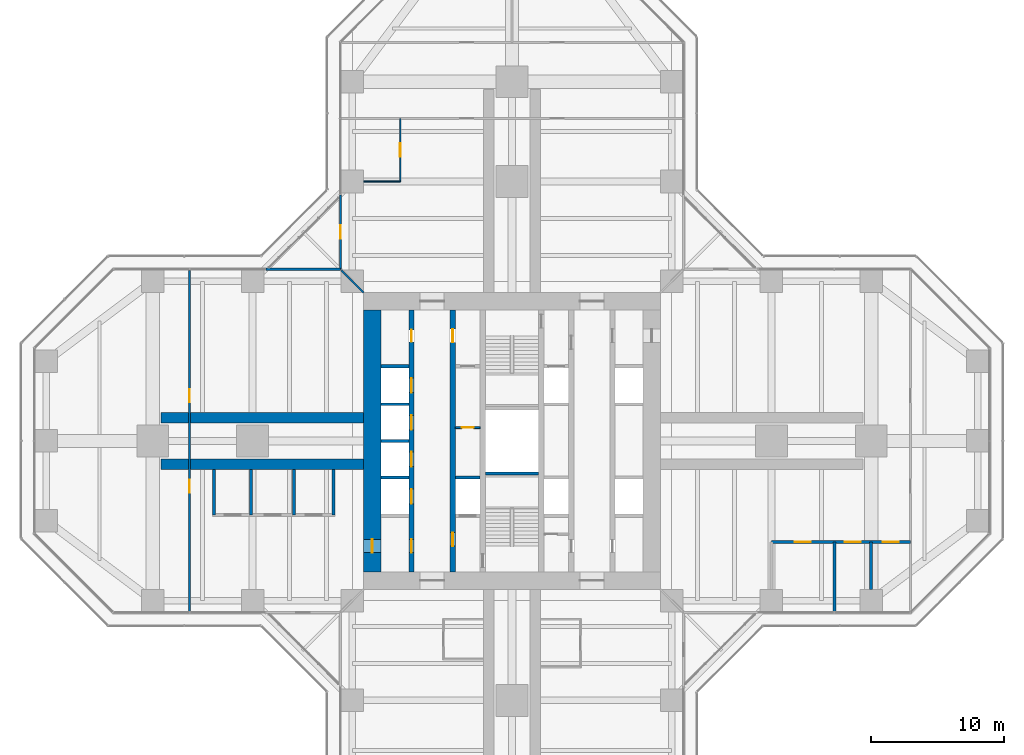
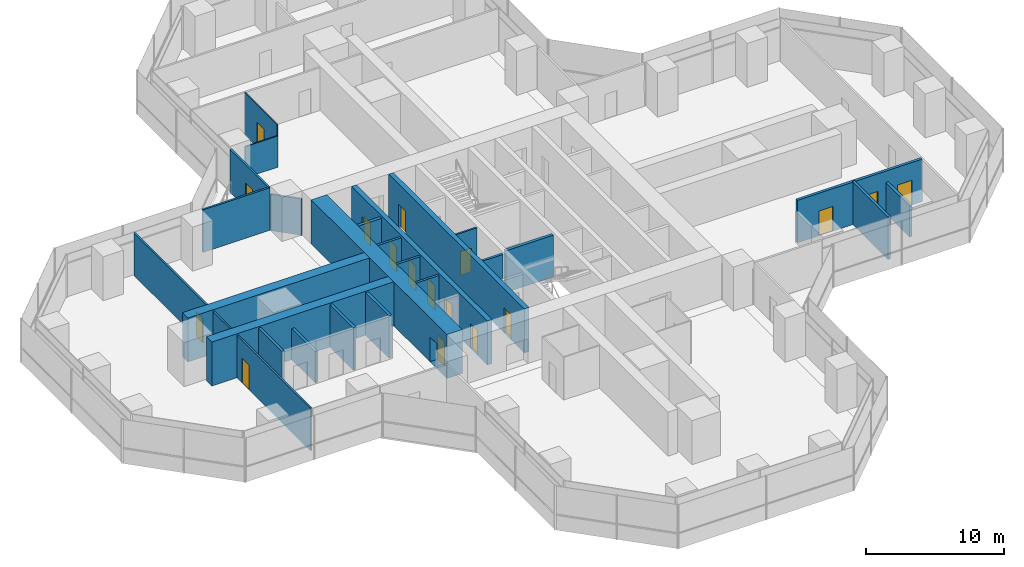
# One storey, part 18 of 22: 25 walls, 17 doors, 17 openings.
"""IFC4 building model written with IfcOpenShell, lengths in metres."""

from ifc_helpers import new_model, si_unit, direction, frame, frame_2d, origin, place, context, subcontext, project, spatial, rectangle, extrude, material, layer, layer_set, type_object, element, fill, save


model = new_model("IFC4")

# Units and contexts
model_context = context("Model", 3, precision=1e-05, world=origin(), true_north=direction((0.0, 1.0)))
body_context = subcontext(model_context, "Body", "Model", "MODEL_VIEW")
ifc_project = project(units=[si_unit("LENGTHUNIT", "METRE"), si_unit("AREAUNIT", "SQUARE_METRE"), si_unit("VOLUMEUNIT", "CUBIC_METRE"), si_unit("PLANEANGLEUNIT", "RADIAN"), si_unit("MASSUNIT", "GRAM", prefix="KILO")], contexts=[model_context])

# Site, building, storey
site_placement = place(None, origin())
site = spatial("IfcSite", under=ifc_project, at=site_placement, CompositionType="ELEMENT")
building_placement = place(site_placement, origin())
building = spatial("IfcBuilding", under=site, at=building_placement, Name="Mizan Broadcast Tower", CompositionType="ELEMENT")
storey_placement = place(building_placement, frame((0.0, 0.0, 51.300048828125)))
storey = spatial("IfcBuildingStorey", under=building, at=storey_placement, Name="L09", CompositionType="ELEMENT", Elevation=51.300048828125)

# Wall, openings, doors
ifc_material_1 = material(Name="Concrete C70/85", Category="concrete")
ifc_layer_1 = layer(ifc_material_1, 0.39990234375)
ifc_layer_set_1 = layer_set([ifc_layer_1], Name="Concrete C70/85")
wall_type_1 = type_object("IfcWallType", Name="CORE INTERNAL WALL 400", PredefinedType="SHEAR", material=ifc_layer_set_1)
wall_1_placement = place(storey_placement, frame((-7.550048828125, -9.85009765625, 0.0), z_axis=(0.0, 0.0, 1.0), x_axis=(0.0, 1.0, 0.0)))
wall_1 = element("IfcWall", 1, at=wall_1_placement, inside=storey, type_object=wall_type_1, Name="Core wall CORE/XW1", PredefinedType="SHEAR", context=body_context, shape_type="SweptSolid", body=[
    extrude(rectangle(XDim=19.7001953125, YDim=0.39990234375, at=frame_2d((9.85009765625, 0.0))), origin(), (0.0, 0.0, 1.0), 3.89990234375),
])
opening_1_placement = place(wall_1_placement, frame((1.449951171875, 0.0, 0.0)))
opening_1 = element("IfcOpeningElement", 2, at=opening_1_placement, cuts=wall_1, Name="Opening D10F", PredefinedType="OPENING", context=body_context, shape_type="SweptSolid", body=[
    extrude(rectangle(XDim=1.0, YDim=2.199951171875, at=frame_2d((0.5, 1.10009765625))), frame((0.0, 0.2099609375, 0.0), z_axis=(0.0, -1.0, 0.0), x_axis=(1.0, 0.0, 0.0)), (0.0, 0.0, 1.0), 0.419921875),
])
opening_2_placement = place(wall_1_placement, frame((17.300048828125, 0.0, 0.0)))
opening_2 = element("IfcOpeningElement", 3, at=opening_2_placement, cuts=wall_1, Name="Opening D09", PredefinedType="OPENING", context=body_context, shape_type="SweptSolid", body=[
    extrude(rectangle(XDim=0.89990234375, YDim=2.10009765625, at=frame_2d((0.449951171875, 1.050048828125))), frame((0.0, 0.2099609375, 0.0), z_axis=(0.0, -1.0, 0.0), x_axis=(1.0, 0.0, 0.0)), (0.0, 0.0, 1.0), 0.419921875),
])
opening_3_placement = place(wall_1_placement, frame((5.125, 0.0, 0.0)))
opening_3 = element("IfcOpeningElement", 4, at=opening_3_placement, cuts=wall_1, Name="Opening LD", PredefinedType="OPENING", context=body_context, shape_type="SweptSolid", body=[
    extrude(rectangle(XDim=1.10009765625, YDim=2.199951171875, at=frame_2d((0.550048828125, 1.10009765625))), frame((0.0, 0.2099609375, 0.0), z_axis=(0.0, -1.0, 0.0), x_axis=(1.0, 0.0, 0.0)), (0.0, 0.0, 1.0), 0.419921875),
])
opening_4_placement = place(wall_1_placement, frame((7.925048828125, 0.0, 0.0)))
opening_4 = element("IfcOpeningElement", 5, at=opening_4_placement, cuts=wall_1, Name="Opening LD", PredefinedType="OPENING", context=body_context, shape_type="SweptSolid", body=[
    extrude(rectangle(XDim=1.10009765625, YDim=2.199951171875, at=frame_2d((0.550048828125, 1.10009765625))), frame((0.0, 0.2099609375, 0.0), z_axis=(0.0, -1.0, 0.0), x_axis=(1.0, 0.0, 0.0)), (0.0, 0.0, 1.0), 0.419921875),
])
opening_5_placement = place(wall_1_placement, frame((10.675048828125, 0.0, 0.0)))
opening_5 = element("IfcOpeningElement", 6, at=opening_5_placement, cuts=wall_1, Name="Opening LD", PredefinedType="OPENING", context=body_context, shape_type="SweptSolid", body=[
    extrude(rectangle(XDim=1.10009765625, YDim=2.199951171875, at=frame_2d((0.550048828125, 1.10009765625))), frame((0.0, 0.2099609375, 0.0), z_axis=(0.0, -1.0, 0.0), x_axis=(1.0, 0.0, 0.0)), (0.0, 0.0, 1.0), 0.419921875),
])
opening_6_placement = place(wall_1_placement, frame((13.47509765625, 0.0, 0.0)))
opening_6 = element("IfcOpeningElement", 7, at=opening_6_placement, cuts=wall_1, Name="Opening LD", PredefinedType="OPENING", context=body_context, shape_type="SweptSolid", body=[
    extrude(rectangle(XDim=1.10009765625, YDim=2.199951171875, at=frame_2d((0.550048828125, 1.10009765625))), frame((0.0, 0.2099609375, 0.0), z_axis=(0.0, -1.0, 0.0), x_axis=(1.0, 0.0, 0.0)), (0.0, 0.0, 1.0), 0.419921875),
])
ifc_material_2 = material(Name="Steel door leaf in steel frame", Category="steel")
door_type_1 = type_object("IfcDoorType", Name="FIRE DOOR 1000 FD90", OperationType="SINGLE_SWING_LEFT", PredefinedType="DOOR", material=ifc_material_2)
door_1_placement = place(opening_1_placement, origin())
door_1 = element("IfcDoor", 8, at=door_1_placement, inside=storey, type_object=door_type_1, Name="West core passage door", OperationType="SINGLE_SWING_LEFT", OverallHeight=2.199951171875, OverallWidth=1.0, PredefinedType="DOOR", context=body_context, shape_type="SweptSolid", body=[
    extrude(rectangle(XDim=1.0, YDim=2.199951171875, at=frame_2d((0.5, 1.10009765625))), frame((0.0, 0.02490234375, 0.0), z_axis=(0.0, -1.0, 0.0), x_axis=(1.0, 0.0, 0.0)), (0.0, 0.0, 1.0), 0.050048828125),
])
fill(opening_1, door_1)
ifc_material_3 = material(Name="Steel door leaf in steel frame", Category="steel")
door_type_2 = type_object("IfcDoorType", Name="LIFT LANDING DOOR 1100", OperationType="SLIDING_TO_LEFT", PredefinedType="DOOR", material=ifc_material_3)
door_2_placement = place(opening_3_placement, origin())
door_2 = element("IfcDoor", 9, at=door_2_placement, inside=storey, type_object=door_type_2, Name="Landing door LA1", OperationType="SLIDING_TO_LEFT", OverallHeight=2.199951171875, OverallWidth=1.10009765625, PredefinedType="DOOR", context=body_context, shape_type="SweptSolid", body=[
    extrude(rectangle(XDim=1.10009765625, YDim=2.199951171875, at=frame_2d((0.550048828125, 1.10009765625))), frame((0.0, 0.02490234375, 0.0), z_axis=(0.0, -1.0, 0.0), x_axis=(1.0, 0.0, 0.0)), (0.0, 0.0, 1.0), 0.050048828125),
])
fill(opening_3, door_2)
door_3_placement = place(opening_4_placement, origin())
door_3 = element("IfcDoor", 10, at=door_3_placement, inside=storey, type_object=door_type_2, Name="Landing door LA2", OperationType="SLIDING_TO_LEFT", OverallHeight=2.199951171875, OverallWidth=1.10009765625, PredefinedType="DOOR", context=body_context, shape_type="SweptSolid", body=[
    extrude(rectangle(XDim=1.10009765625, YDim=2.199951171875, at=frame_2d((0.550048828125, 1.10009765625))), frame((0.0, 0.02490234375, 0.0), z_axis=(0.0, -1.0, 0.0), x_axis=(1.0, 0.0, 0.0)), (0.0, 0.0, 1.0), 0.050048828125),
])
fill(opening_4, door_3)
door_4_placement = place(opening_5_placement, origin())
door_4 = element("IfcDoor", 11, at=door_4_placement, inside=storey, type_object=door_type_2, Name="Landing door LA3", OperationType="SLIDING_TO_LEFT", OverallHeight=2.199951171875, OverallWidth=1.10009765625, PredefinedType="DOOR", context=body_context, shape_type="SweptSolid", body=[
    extrude(rectangle(XDim=1.10009765625, YDim=2.199951171875, at=frame_2d((0.550048828125, 1.10009765625))), frame((0.0, 0.02490234375, 0.0), z_axis=(0.0, -1.0, 0.0), x_axis=(1.0, 0.0, 0.0)), (0.0, 0.0, 1.0), 0.050048828125),
])
fill(opening_5, door_4)
door_5_placement = place(opening_6_placement, origin())
door_5 = element("IfcDoor", 12, at=door_5_placement, inside=storey, type_object=door_type_2, Name="Landing door LA4", OperationType="SLIDING_TO_LEFT", OverallHeight=2.199951171875, OverallWidth=1.10009765625, PredefinedType="DOOR", context=body_context, shape_type="SweptSolid", body=[
    extrude(rectangle(XDim=1.10009765625, YDim=2.199951171875, at=frame_2d((0.550048828125, 1.10009765625))), frame((0.0, 0.02490234375, 0.0), z_axis=(0.0, -1.0, 0.0), x_axis=(1.0, 0.0, 0.0)), (0.0, 0.0, 1.0), 0.050048828125),
])
fill(opening_6, door_5)
ifc_material_4 = material(Name="Timber door leaf in aluminium frame", Category="wood")
door_type_3 = type_object("IfcDoorType", Name="TOILET DOOR 900", OperationType="SINGLE_SWING_LEFT", PredefinedType="DOOR", material=ifc_material_4)
door_6_placement = place(opening_2_placement, origin())
door_6 = element("IfcDoor", 13, at=door_6_placement, inside=storey, type_object=door_type_3, Name="Male WC door", OperationType="SINGLE_SWING_RIGHT", OverallHeight=2.10009765625, OverallWidth=0.89990234375, PredefinedType="DOOR", context=body_context, shape_type="SweptSolid", body=[
    extrude(rectangle(XDim=0.89990234375, YDim=2.10009765625, at=frame_2d((0.449951171875, 1.050048828125))), frame((0.0, 0.02490234375, 0.0), z_axis=(0.0, -1.0, 0.0), x_axis=(1.0, 0.0, 0.0)), (0.0, 0.0, 1.0), 0.050048828125),
])
fill(opening_2, door_6)

wall_2_placement = place(storey_placement, frame((-4.449951171875, -9.85009765625, 0.0), z_axis=(0.0, 0.0, 1.0), x_axis=(0.0, 1.0, 0.0)))
wall_2 = element("IfcWall", 14, at=wall_2_placement, inside=storey, type_object=wall_type_1, Name="Core wall CORE/XWH", PredefinedType="SHEAR", context=body_context, shape_type="SweptSolid", body=[
    extrude(rectangle(XDim=19.7001953125, YDim=0.39990234375, at=frame_2d((9.85009765625, 0.0))), origin(), (0.0, 0.0, 1.0), 3.89990234375),
])
opening_7_placement = place(wall_2_placement, frame((1.949951171875, 0.0, 0.0)))
opening_7 = element("IfcOpeningElement", 15, at=opening_7_placement, cuts=wall_2, Name="Opening D10F", PredefinedType="OPENING", context=body_context, shape_type="SweptSolid", body=[
    extrude(rectangle(XDim=1.0, YDim=2.199951171875, at=frame_2d((0.5, 1.10009765625))), frame((0.0, 0.2099609375, 0.0), z_axis=(0.0, -1.0, 0.0), x_axis=(1.0, 0.0, 0.0)), (0.0, 0.0, 1.0), 0.419921875),
])
opening_8_placement = place(wall_2_placement, frame((17.25, 0.0, 0.0)))
opening_8 = element("IfcOpeningElement", 16, at=opening_8_placement, cuts=wall_2, Name="Opening D10A", PredefinedType="OPENING", context=body_context, shape_type="SweptSolid", body=[
    extrude(rectangle(XDim=1.0, YDim=2.10009765625, at=frame_2d((0.5, 1.050048828125))), frame((0.0, 0.2099609375, 0.0), z_axis=(0.0, -1.0, 0.0), x_axis=(1.0, 0.0, 0.0)), (0.0, 0.0, 1.0), 0.419921875),
])
ifc_material_5 = material(Name="Timber door leaf in aluminium frame", Category="wood")
door_type_4 = type_object("IfcDoorType", Name="ACCESSIBLE WC DOOR 1000", OperationType="SLIDING_TO_LEFT", PredefinedType="DOOR", material=ifc_material_5)
door_7_placement = place(opening_8_placement, origin())
door_7 = element("IfcDoor", 17, at=door_7_placement, inside=storey, type_object=door_type_4, Name="Accessible WC door", OperationType="SLIDING_TO_LEFT", OverallHeight=2.10009765625, OverallWidth=1.0, PredefinedType="DOOR", context=body_context, shape_type="SweptSolid", body=[
    extrude(rectangle(XDim=1.0, YDim=2.10009765625, at=frame_2d((0.5, 1.050048828125))), frame((0.0, 0.02490234375, 0.0), z_axis=(0.0, -1.0, 0.0), x_axis=(1.0, 0.0, 0.0)), (0.0, 0.0, 1.0), 0.050048828125),
])
fill(opening_8, door_7)
door_8_placement = place(opening_7_placement, origin())
door_8 = element("IfcDoor", 18, at=door_8_placement, inside=storey, type_object=door_type_1, Name="Firefighting lobby A door", OperationType="SINGLE_SWING_LEFT", OverallHeight=2.199951171875, OverallWidth=1.0, PredefinedType="DOOR", context=body_context, shape_type="SweptSolid", body=[
    extrude(rectangle(XDim=1.0, YDim=2.199951171875, at=frame_2d((0.5, 1.10009765625))), frame((0.0, 0.02490234375, 0.0), z_axis=(0.0, -1.0, 0.0), x_axis=(1.0, 0.0, 0.0)), (0.0, 0.0, 1.0), 0.050048828125),
])
fill(opening_7, door_8)

# Wall, opening, door
ifc_material_6 = material(Name="Concrete blockwork", Category="masonry")
ifc_layer_2 = layer(ifc_material_6, 0.14990234375)
ifc_layer_set_2 = layer_set([ifc_layer_2], Name="Concrete blockwork")
wall_type_2 = type_object("IfcWallType", Name="CORE PARTITION 150", PredefinedType="SOLIDWALL", material=ifc_layer_set_2)
wall_3_placement = place(storey_placement, frame((-4.25, 1.0, 0.0), z_axis=(0.0, 0.0, 1.0), x_axis=(1.0, 0.0, 0.0)))
wall_3 = element("IfcWall", 19, at=wall_3_placement, inside=storey, type_object=wall_type_2, Name="Core partition CORE/XP2", PredefinedType="SOLIDWALL", context=body_context, shape_type="SweptSolid", body=[
    extrude(rectangle(XDim=1.85009765625, YDim=0.14990234375, at=frame_2d((0.925048828125, 0.0))), origin(), (0.0, 0.0, 1.0), 3.77001953125),
])
opening_9_placement = place(wall_3_placement, frame((0.47509765625, 0.0, 0.0)))
opening_9 = element("IfcOpeningElement", 20, at=opening_9_placement, cuts=wall_3, Name="Opening D09F", PredefinedType="OPENING", context=body_context, shape_type="SweptSolid", body=[
    extrude(rectangle(XDim=0.89990234375, YDim=2.10009765625, at=frame_2d((0.449951171875, 1.050048828125))), frame((0.0, 0.0849609375, 0.0), z_axis=(0.0, -1.0, 0.0), x_axis=(1.0, 0.0, 0.0)), (0.0, 0.0, 1.0), 0.169921875),
])
ifc_material_7 = material(Name="Steel door leaf in steel frame", Category="steel")
door_type_5 = type_object("IfcDoorType", Name="CORE ROOM DOOR 900 FD90", OperationType="SINGLE_SWING_LEFT", PredefinedType="DOOR", material=ifc_material_7)
door_9_placement = place(opening_9_placement, origin())
door_9 = element("IfcDoor", 21, at=door_9_placement, inside=storey, type_object=door_type_5, Name="Staff shower room door", OperationType="SINGLE_SWING_RIGHT", OverallHeight=2.10009765625, OverallWidth=0.89990234375, PredefinedType="DOOR", context=body_context, shape_type="SweptSolid", body=[
    extrude(rectangle(XDim=0.89990234375, YDim=2.10009765625, at=frame_2d((0.449951171875, 1.050048828125))), frame((0.0, 0.02490234375, 0.0), z_axis=(0.0, -1.0, 0.0), x_axis=(1.0, 0.0, 0.0)), (0.0, 0.0, 1.0), 0.050048828125),
])
fill(opening_9, door_9)

ifc_material_8 = material(Name="Concrete C70/85", Category="concrete")
ifc_layer_3 = layer(ifc_material_8, 1.300048828125)
ifc_layer_set_3 = layer_set([ifc_layer_3], Name="Concrete C70/85")
wall_type_3 = type_object("IfcWallType", Name="CORE WALL 1300", PredefinedType="SHEAR", material=ifc_layer_set_3)
wall_4_placement = place(storey_placement, frame((-10.5, 9.85009765625, 0.0), z_axis=(0.0, 0.0, 1.0), x_axis=(0.0, -1.0, 0.0)))
wall_4 = element("IfcWall", 22, at=wall_4_placement, inside=storey, type_object=wall_type_3, Name="Core wall W L09", PredefinedType="SHEAR", context=body_context, shape_type="SweptSolid", body=[
    extrude(rectangle(XDim=19.7001953125, YDim=1.300048828125, at=frame_2d((9.85009765625, 0.0))), origin(), (0.0, 0.0, 1.0), 3.89990234375),
])
opening_10_placement = place(wall_4_placement, frame((17.25, 0.0, 0.0)))
opening_10 = element("IfcOpeningElement", 23, at=opening_10_placement, cuts=wall_4, Name="Opening D10F", PredefinedType="OPENING", context=body_context, shape_type="SweptSolid", body=[
    extrude(rectangle(XDim=1.0, YDim=2.199951171875, at=frame_2d((0.5, 1.10009765625))), frame((0.0, 0.659912109375, 0.0), z_axis=(0.0, -1.0, 0.0), x_axis=(1.0, 0.0, 0.0)), (0.0, 0.0, 1.0), 1.320068359375),
])
door_10_placement = place(opening_10_placement, origin())
door_10 = element("IfcDoor", 24, at=door_10_placement, inside=storey, type_object=door_type_1, Name="West core passage arm door", OperationType="SINGLE_SWING_RIGHT", OverallHeight=2.199951171875, OverallWidth=1.0, PredefinedType="DOOR", context=body_context, shape_type="SweptSolid", body=[
    extrude(rectangle(XDim=1.0, YDim=2.199951171875, at=frame_2d((0.5, 1.10009765625))), frame((0.0, 0.02490234375, 0.0), z_axis=(0.0, -1.0, 0.0), x_axis=(1.0, 0.0, 0.0)), (0.0, 0.0, 1.0), 0.050048828125),
])
fill(opening_10, door_10)

ifc_material_9 = material(Name="Aluminium framed glazed screen", Category="aluminium")
ifc_layer_4 = layer(ifc_material_9, 0.159912109375)
ifc_layer_set_4 = layer_set([ifc_layer_4], Name="Aluminium framed glazed screen")
wall_type_4 = type_object("IfcWallType", Name="GLAZED SCREEN WALL 160", PredefinedType="SOLIDWALL", material=ifc_layer_set_4)
wall_5_placement = place(storey_placement, frame((-12.89990234375, 18.5, 0.0), z_axis=(0.0, 0.0, 1.0), x_axis=(0.0, -1.0, 0.0)))
wall_5 = element("IfcWall", 25, at=wall_5_placement, inside=storey, type_object=wall_type_4, Name="Winter garden screen L09 N", PredefinedType="SOLIDWALL", context=body_context, shape_type="SweptSolid", body=[
    extrude(rectangle(XDim=5.60009765625, YDim=0.159912109375, at=frame_2d((2.800048828125, 0.0))), origin(), (0.0, 0.0, 1.0), 3.77001953125),
])
opening_11_placement = place(wall_5_placement, frame((2.300048828125, 0.0, 0.0)))
opening_11 = element("IfcOpeningElement", 26, at=opening_11_placement, cuts=wall_5, Name="Opening WGD", PredefinedType="OPENING", context=body_context, shape_type="SweptSolid", body=[
    extrude(rectangle(XDim=1.0, YDim=2.199951171875, at=frame_2d((0.5, 1.10009765625))), frame((0.0, 0.08984375, 0.0), z_axis=(0.0, -1.0, 0.0), x_axis=(1.0, 0.0, 0.0)), (0.0, 0.0, 1.0), 0.179931640625),
])
ifc_material_10 = material(Name="Aluminium framed glazed door", Category="aluminium")
door_type_6 = type_object("IfcDoorType", Name="WINTER GARDEN DOOR 1000 GLAZED", OperationType="SINGLE_SWING_LEFT", PredefinedType="DOOR", material=ifc_material_10)
door_11_placement = place(opening_11_placement, origin())
door_11 = element("IfcDoor", 27, at=door_11_placement, inside=storey, type_object=door_type_6, Name="Winter garden door L09 N", OperationType="SINGLE_SWING_RIGHT", OverallHeight=2.199951171875, OverallWidth=1.0, PredefinedType="DOOR", context=body_context, shape_type="SweptSolid", body=[
    extrude(rectangle(XDim=1.0, YDim=2.199951171875, at=frame_2d((0.5, 1.10009765625))), frame((0.0, 0.02490234375, 0.0), z_axis=(0.0, -1.0, 0.0), x_axis=(1.0, 0.0, 0.0)), (0.0, 0.0, 1.0), 0.050048828125),
])
fill(opening_11, door_11)

# Walls
wall_6_placement = place(storey_placement, frame((-12.89990234375, 12.89990234375, 0.0), z_axis=(0.0, 0.0, 1.0), x_axis=(-1.0, 0.0, 0.0)))
element("IfcWall", 28, at=wall_6_placement, inside=storey, type_object=wall_type_4, Name="Winter garden screen L09 W", PredefinedType="SOLIDWALL", context=body_context, shape_type="SweptSolid", body=[
    extrude(rectangle(XDim=5.60009765625, YDim=0.159912109375, at=frame_2d((2.800048828125, 0.0))), origin(), (0.0, 0.0, 1.0), 3.77001953125),
])
ifc_material_11 = material(Name="Concrete blockwork", Category="masonry")
ifc_layer_5 = layer(ifc_material_11, 0.199951171875)
ifc_layer_set_5 = layer_set([ifc_layer_5], Name="Concrete blockwork")
wall_type_5 = type_object("IfcWallType", Name="LIFT SHAFT WALL 200", PredefinedType="SOLIDWALL", material=ifc_layer_set_5)
wall_7_placement = place(storey_placement, frame((-9.85009765625, -2.75, 0.0), z_axis=(0.0, 0.0, 1.0), x_axis=(1.0, 0.0, 0.0)))
element("IfcWall", 29, at=wall_7_placement, inside=storey, type_object=wall_type_5, Name="Lift shaft wall CORE/SW1-1", PredefinedType="SOLIDWALL", context=body_context, shape_type="SweptSolid", body=[
    extrude(rectangle(XDim=2.10009765625, YDim=0.199951171875, at=frame_2d((1.050048828125, 0.0))), origin(), (0.0, 0.0, 1.0), 3.699951171875),
])
wall_8_placement = place(storey_placement, frame((-4.25, -2.75, 0.0), z_axis=(0.0, 0.0, 1.0), x_axis=(1.0, 0.0, 0.0)))
element("IfcWall", 30, at=wall_8_placement, inside=storey, type_object=wall_type_5, Name="Lift shaft wall CORE/SW2-1", PredefinedType="SOLIDWALL", context=body_context, shape_type="SweptSolid", body=[
    extrude(rectangle(XDim=1.85009765625, YDim=0.199951171875, at=frame_2d((0.925048828125, 0.0))), origin(), (0.0, 0.0, 1.0), 3.699951171875),
])
for number, where, z_axis, x_axis, name in (
    (31, (-9.85009765625, 0.0, 0.0), (0.0, 0.0, 1.0), (1.0, 0.0, 0.0), "Lift shaft wall CORE/SW1-2"),
    (32, (-9.85009765625, 2.75, 0.0), (0.0, 0.0, 1.0), (1.0, 0.0, 0.0), "Lift shaft wall CORE/SW1-3"),
):
    element("IfcWall", number, at=place(storey_placement, frame(where, z_axis=z_axis, x_axis=x_axis)), inside=storey, type_object=wall_type_5, Name=name, PredefinedType="SOLIDWALL", context=body_context, shape_type="SweptSolid", body=[
        extrude(rectangle(XDim=2.10009765625, YDim=0.199951171875, at=frame_2d((1.050048828125, 0.0))), origin(), (0.0, 0.0, 1.0), 3.699951171875),
    ])
ifc_material_12 = material(Name="Concrete blockwork", Category="masonry")
ifc_layer_6 = layer(ifc_material_12, 0.25)
ifc_layer_set_6 = layer_set([ifc_layer_6], Name="Concrete blockwork")
wall_type_6 = type_object("IfcWallType", Name="LOBBY ENCLOSURE WALL 250", PredefinedType="SOLIDWALL", material=ifc_layer_set_6)
wall_9_placement = place(storey_placement, frame((-9.85009765625, 5.625, 0.0), z_axis=(0.0, 0.0, 1.0), x_axis=(1.0, 0.0, 0.0)))
element("IfcWall", 33, at=wall_9_placement, inside=storey, type_object=wall_type_6, Name="Lobby enclosure wall CORE/BW1N", PredefinedType="SOLIDWALL", context=body_context, shape_type="SweptSolid", body=[
    extrude(rectangle(XDim=2.10009765625, YDim=0.25, at=frame_2d((1.050048828125, 0.0))), origin(), (0.0, 0.0, 1.0), 3.699951171875),
])
wall_10_placement = place(storey_placement, frame((-2.0, -2.449951171875, 0.0), z_axis=(0.0, 0.0, 1.0), x_axis=(1.0, 0.0, 0.0)))
element("IfcWall", 34, at=wall_10_placement, inside=storey, type_object=wall_type_6, Name="Lobby enclosure wall CORE/STA", PredefinedType="SOLIDWALL", context=body_context, shape_type="SweptSolid", body=[
    extrude(rectangle(XDim=4.0, YDim=0.25, at=frame_2d((2.0, 0.0))), origin(), (0.0, 0.0, 1.0), 3.699951171875),
])

# Wall, openings, doors
ifc_material_13 = material(Name="Gypsum board on steel studs", Category="steel")
ifc_layer_7 = layer(ifc_material_13, 0.14990234375)
ifc_layer_set_7 = layer_set([ifc_layer_7], Name="Gypsum board on steel studs")
wall_type_7 = type_object("IfcWallType", Name="PARTITION 150", PredefinedType="PARTITIONING", material=ifc_layer_set_7)
wall_11_placement = place(storey_placement, frame((-24.22900390625, 12.820068359375, 0.0), z_axis=(0.0, 0.0, 1.0), x_axis=(0.0, -1.0, 0.0)))
wall_11 = element("IfcWall", 35, at=wall_11_placement, inside=storey, type_object=wall_type_7, Name="Partition PT/WX1", PredefinedType="PARTITIONING", context=body_context, shape_type="SweptSolid", body=[
    extrude(rectangle(XDim=25.64013671875, YDim=0.14990234375, at=frame_2d((12.820068359375, 0.0))), origin(), (0.0, 0.0, 1.0), 3.77001953125),
])
opening_12_placement = place(wall_11_placement, frame((15.719970703125, 0.0, 0.0)))
opening_12 = element("IfcOpeningElement", 36, at=opening_12_placement, cuts=wall_11, Name="Opening D10", PredefinedType="OPENING", context=body_context, shape_type="SweptSolid", body=[
    extrude(rectangle(XDim=1.0, YDim=2.199951171875, at=frame_2d((0.5, 1.10009765625))), frame((0.0, 0.0849609375, 0.0), z_axis=(0.0, -1.0, 0.0), x_axis=(1.0, 0.0, 0.0)), (0.0, 0.0, 1.0), 0.169921875),
])
opening_13_placement = place(wall_11_placement, frame((8.919921875, 0.0, 0.0)))
opening_13 = element("IfcOpeningElement", 37, at=opening_13_placement, cuts=wall_11, Name="Opening D10", PredefinedType="OPENING", context=body_context, shape_type="SweptSolid", body=[
    extrude(rectangle(XDim=1.0, YDim=2.199951171875, at=frame_2d((0.5, 1.10009765625))), frame((0.0, 0.0849609375, 0.0), z_axis=(0.0, -1.0, 0.0), x_axis=(1.0, 0.0, 0.0)), (0.0, 0.0, 1.0), 0.169921875),
])
ifc_material_14 = material(Name="Timber door leaf in aluminium frame", Category="wood")
door_type_7 = type_object("IfcDoorType", Name="ROOM DOOR 1000", OperationType="SINGLE_SWING_LEFT", PredefinedType="DOOR", material=ifc_material_14)
door_12_placement = place(opening_12_placement, origin())
door_12 = element("IfcDoor", 38, at=door_12_placement, inside=storey, type_object=door_type_7, Name="Edit suite area door", OperationType="SINGLE_SWING_RIGHT", OverallHeight=2.199951171875, OverallWidth=1.0, PredefinedType="DOOR", context=body_context, shape_type="SweptSolid", body=[
    extrude(rectangle(XDim=1.0, YDim=2.199951171875, at=frame_2d((0.5, 1.10009765625))), frame((0.0, 0.02490234375, 0.0), z_axis=(0.0, -1.0, 0.0), x_axis=(1.0, 0.0, 0.0)), (0.0, 0.0, 1.0), 0.050048828125),
])
fill(opening_12, door_12)
door_13_placement = place(opening_13_placement, origin())
door_13 = element("IfcDoor", 39, at=door_13_placement, inside=storey, type_object=door_type_7, Name="Edit suite area door", OperationType="SINGLE_SWING_LEFT", OverallHeight=2.199951171875, OverallWidth=1.0, PredefinedType="DOOR", context=body_context, shape_type="SweptSolid", body=[
    extrude(rectangle(XDim=1.0, YDim=2.199951171875, at=frame_2d((0.5, 1.10009765625))), frame((0.0, 0.02490234375, 0.0), z_axis=(0.0, -1.0, 0.0), x_axis=(1.0, 0.0, 0.0)), (0.0, 0.0, 1.0), 0.050048828125),
])
fill(opening_13, door_13)

# Wall
wall_12_placement = place(storey_placement, frame((-11.14990234375, 11.14990234375, 0.0), z_axis=(0.0, 0.0, 1.0), x_axis=(-0.707106781187, 0.707106781187, 0.0)))
element("IfcWall", 40, at=wall_12_placement, inside=storey, type_object=wall_type_7, Name="Partition PT/DGWN", PredefinedType="PARTITIONING", context=body_context, shape_type="SweptSolid", body=[
    extrude(rectangle(XDim=2.362060546875, YDim=0.14990234375, at=frame_2d((1.18115234375, 0.0))), origin(), (0.0, 0.0, 1.0), 3.219970703125),
])

# Wall, openings, doors
ifc_material_15 = material(Name="Twin steel stud acoustic partition, four layers of gypsum board", Category="steel")
ifc_layer_8 = layer(ifc_material_15, 0.22509765625)
ifc_layer_set_8 = layer_set([ifc_layer_8], Name="Twin steel stud acoustic partition, four layers of gypsum board")
wall_type_8 = type_object("IfcWallType", Name="PARTITION ACOUSTIC 225", PredefinedType="PARTITIONING", material=ifc_layer_set_8)
wall_13_placement = place(storey_placement, frame((19.5, -7.60009765625, 0.0), z_axis=(0.0, 0.0, 1.0), x_axis=(1.0, 0.0, 0.0)))
wall_13 = element("IfcWall", 41, at=wall_13_placement, inside=storey, type_object=wall_type_8, Name="Acoustic partition PT/ECN0", PredefinedType="PARTITIONING", context=body_context, shape_type="SweptSolid", body=[
    extrude(rectangle(XDim=10.458984375, YDim=0.22509765625, at=frame_2d((5.2294921875, 0.0))), origin(), (0.0, 0.0, 1.0), 3.77001953125),
])
opening_14_placement = place(wall_13_placement, frame((1.764404296875, 0.0, 0.0)))
opening_14 = element("IfcOpeningElement", 42, at=opening_14_placement, cuts=wall_13, Name="Opening D12A", PredefinedType="OPENING", context=body_context, shape_type="SweptSolid", body=[
    extrude(rectangle(XDim=1.199951171875, YDim=2.199951171875, at=frame_2d((0.60009765625, 1.10009765625))), frame((0.0, 0.12255859375, 0.0), z_axis=(0.0, -1.0, 0.0), x_axis=(1.0, 0.0, 0.0)), (0.0, 0.0, 1.0), 0.2451171875),
])
opening_15_placement = place(wall_13_placement, frame((5.514404296875, 0.0, 0.0)))
opening_15 = element("IfcOpeningElement", 43, at=opening_15_placement, cuts=wall_13, Name="Opening D12A", PredefinedType="OPENING", context=body_context, shape_type="SweptSolid", body=[
    extrude(rectangle(XDim=1.199951171875, YDim=2.199951171875, at=frame_2d((0.60009765625, 1.10009765625))), frame((0.0, 0.12255859375, 0.0), z_axis=(0.0, -1.0, 0.0), x_axis=(1.0, 0.0, 0.0)), (0.0, 0.0, 1.0), 0.2451171875),
])
opening_16_placement = place(wall_13_placement, frame((8.37939453125, 0.0, 0.0)))
opening_16 = element("IfcOpeningElement", 44, at=opening_16_placement, cuts=wall_13, Name="Opening D12A", PredefinedType="OPENING", context=body_context, shape_type="SweptSolid", body=[
    extrude(rectangle(XDim=1.199951171875, YDim=2.199951171875, at=frame_2d((0.60009765625, 1.10009765625))), frame((0.0, 0.12255859375, 0.0), z_axis=(0.0, -1.0, 0.0), x_axis=(1.0, 0.0, 0.0)), (0.0, 0.0, 1.0), 0.2451171875),
])
ifc_material_16 = material(Name="Timber door leaf in aluminium frame", Category="wood")
door_type_8 = type_object("IfcDoorType", Name="ACOUSTIC DOOR 1200", OperationType="SINGLE_SWING_LEFT", PredefinedType="DOOR", material=ifc_material_16)
door_14_placement = place(opening_14_placement, origin())
door_14 = element("IfcDoor", 45, at=door_14_placement, inside=storey, type_object=door_type_8, Name="Editor's office door", OperationType="SINGLE_SWING_LEFT", OverallHeight=2.199951171875, OverallWidth=1.199951171875, PredefinedType="DOOR", context=body_context, shape_type="SweptSolid", body=[
    extrude(rectangle(XDim=1.199951171875, YDim=2.199951171875, at=frame_2d((0.60009765625, 1.10009765625))), frame((0.0, 0.02490234375, 0.0), z_axis=(0.0, -1.0, 0.0), x_axis=(1.0, 0.0, 0.0)), (0.0, 0.0, 1.0), 0.050048828125),
])
fill(opening_14, door_14)
door_15_placement = place(opening_15_placement, origin())
door_15 = element("IfcDoor", 46, at=door_15_placement, inside=storey, type_object=door_type_8, Name="Editor's office door", OperationType="SINGLE_SWING_RIGHT", OverallHeight=2.199951171875, OverallWidth=1.199951171875, PredefinedType="DOOR", context=body_context, shape_type="SweptSolid", body=[
    extrude(rectangle(XDim=1.199951171875, YDim=2.199951171875, at=frame_2d((0.60009765625, 1.10009765625))), frame((0.0, 0.02490234375, 0.0), z_axis=(0.0, -1.0, 0.0), x_axis=(1.0, 0.0, 0.0)), (0.0, 0.0, 1.0), 0.050048828125),
])
fill(opening_15, door_15)
door_16_placement = place(opening_16_placement, origin())
door_16 = element("IfcDoor", 47, at=door_16_placement, inside=storey, type_object=door_type_8, Name="Editor's office door", OperationType="SINGLE_SWING_RIGHT", OverallHeight=2.199951171875, OverallWidth=1.199951171875, PredefinedType="DOOR", context=body_context, shape_type="SweptSolid", body=[
    extrude(rectangle(XDim=1.199951171875, YDim=2.199951171875, at=frame_2d((0.60009765625, 1.10009765625))), frame((0.0, 0.02490234375, 0.0), z_axis=(0.0, -1.0, 0.0), x_axis=(1.0, 0.0, 0.0)), (0.0, 0.0, 1.0), 0.050048828125),
])
fill(opening_16, door_16)

# Walls
wall_14_placement = place(storey_placement, frame((24.22900390625, -7.60009765625, 0.0), z_axis=(0.0, 0.0, 1.0), x_axis=(0.0, -1.0, 0.0)))
element("IfcWall", 48, at=wall_14_placement, inside=storey, type_object=wall_type_8, Name="Acoustic partition PT/EQN2423", PredefinedType="PARTITIONING", context=body_context, shape_type="SweptSolid", body=[
    extrude(rectangle(XDim=5.219970703125, YDim=0.22509765625, at=frame_2d((2.60986328125, 0.0))), origin(), (0.0, 0.0, 1.0), 3.77001953125),
])
wall_15_placement = place(storey_placement, frame((27.0, -7.60009765625, 0.0), z_axis=(0.0, 0.0, 1.0), x_axis=(0.0, -1.0, 0.0)))
element("IfcWall", 49, at=wall_15_placement, inside=storey, type_object=wall_type_8, Name="Acoustic partition PT/EQN2700", PredefinedType="PARTITIONING", context=body_context, shape_type="SweptSolid", body=[
    extrude(rectangle(XDim=3.5498046875, YDim=0.22509765625, at=frame_2d((1.77490234375, 0.0))), origin(), (0.0, 0.0, 1.0), 2.77001953125),
])
for number, where, z_axis, x_axis, name in (
    (50, (-13.39990234375, -2.14990234375, 0.0), (0.0, 0.0, 1.0), (0.0, -1.0, 0.0), "Acoustic partition PT/WKP0a"),
    (51, (-16.39990234375, -2.14990234375, 0.0), (0.0, 0.0, 1.0), (0.0, -1.0, 0.0), "Acoustic partition PT/WKP0b"),
):
    element("IfcWall", number, at=place(storey_placement, frame(where, z_axis=z_axis, x_axis=x_axis)), inside=storey, type_object=wall_type_8, Name=name, PredefinedType="PARTITIONING", context=body_context, shape_type="SweptSolid", body=[
        extrude(rectangle(XDim=3.400146484375, YDim=0.22509765625, at=frame_2d((1.7001953125, 0.0))), origin(), (0.0, 0.0, 1.0), 3.77001953125),
    ])
wall_16_placement = place(storey_placement, frame((-19.60009765625, -2.14990234375, 0.0), z_axis=(0.0, 0.0, 1.0), x_axis=(0.0, -1.0, 0.0)))
element("IfcWall", 52, at=wall_16_placement, inside=storey, type_object=wall_type_8, Name="Acoustic partition PT/WKP1b", PredefinedType="PARTITIONING", context=body_context, shape_type="SweptSolid", body=[
    extrude(rectangle(XDim=3.400146484375, YDim=0.22509765625, at=frame_2d((1.7001953125, 0.0))), origin(), (0.0, 0.0, 1.0), 2.77001953125),
])
wall_17_placement = place(storey_placement, frame((-22.39990234375, -2.14990234375, 0.0), z_axis=(0.0, 0.0, 1.0), x_axis=(0.0, -1.0, 0.0)))
element("IfcWall", 53, at=wall_17_placement, inside=storey, type_object=wall_type_8, Name="Acoustic partition PT/WKP2b", PredefinedType="PARTITIONING", context=body_context, shape_type="SweptSolid", body=[
    extrude(rectangle(XDim=3.400146484375, YDim=0.22509765625, at=frame_2d((1.7001953125, 0.0))), origin(), (0.0, 0.0, 1.0), 3.77001953125),
])

# Wall, opening, door
ifc_material_17 = material(Name="Glazed aluminium partition on aluminium track", Category="aluminium")
ifc_layer_9 = layer(ifc_material_17, 0.10009765625)
ifc_layer_set_9 = layer_set([ifc_layer_9], Name="Glazed aluminium partition on aluminium track")
wall_type_9 = type_object("IfcWallType", Name="PARTITION GLAZED OFFICE FRONT 100", PredefinedType="PARTITIONING", material=ifc_layer_set_9)
wall_18_placement = place(storey_placement, frame((-8.39990234375, 19.5, 0.0), z_axis=(0.0, 0.0, 1.0), x_axis=(0.0, 1.0, 0.0)))
wall_18 = element("IfcWall", 54, at=wall_18_placement, inside=storey, type_object=wall_type_9, Name="Glazed office front PT/NCP0", PredefinedType="PARTITIONING", context=body_context, shape_type="SweptSolid", body=[
    extrude(rectangle(XDim=4.72900390625, YDim=0.10009765625, at=frame_2d((2.364501953125, 0.0))), origin(), (0.0, 0.0, 1.0), 3.77001953125),
])
opening_17_placement = place(wall_18_placement, frame((1.864501953125, 0.0, 0.0)))
opening_17 = element("IfcOpeningElement", 55, at=opening_17_placement, cuts=wall_18, Name="Opening D10O", PredefinedType="OPENING", context=body_context, shape_type="SweptSolid", body=[
    extrude(rectangle(XDim=1.0, YDim=2.199951171875, at=frame_2d((0.5, 1.10009765625))), frame((0.0, 0.06005859375, 0.0), z_axis=(0.0, -1.0, 0.0), x_axis=(1.0, 0.0, 0.0)), (0.0, 0.0, 1.0), 0.1201171875),
])
ifc_material_18 = material(Name="Timber door leaf in aluminium frame", Category="wood")
door_type_9 = type_object("IfcDoorType", Name="OFFICE DOOR 1000 GLAZED", OperationType="SINGLE_SWING_LEFT", PredefinedType="DOOR", material=ifc_material_18)
door_17_placement = place(opening_17_placement, origin())
door_17 = element("IfcDoor", 56, at=door_17_placement, inside=storey, type_object=door_type_9, Name="Office door", OperationType="SINGLE_SWING_LEFT", OverallHeight=2.199951171875, OverallWidth=1.0, PredefinedType="DOOR", context=body_context, shape_type="SweptSolid", body=[
    extrude(rectangle(XDim=1.0, YDim=2.199951171875, at=frame_2d((0.5, 1.10009765625))), frame((0.0, 0.02490234375, 0.0), z_axis=(0.0, -1.0, 0.0), x_axis=(1.0, 0.0, 0.0)), (0.0, 0.0, 1.0), 0.050048828125),
])
fill(opening_17, door_17)

# Walls
wall_19_placement = place(storey_placement, frame((-8.39990234375, 19.5, 0.0), z_axis=(0.0, 0.0, 1.0), x_axis=(-1.0, 0.0, 0.0)))
element("IfcWall", 57, at=wall_19_placement, inside=storey, type_object=wall_type_9, Name="Glazed office front PT/NQP1950", PredefinedType="PARTITIONING", context=body_context, shape_type="SweptSolid", body=[
    extrude(rectangle(XDim=2.75, YDim=0.10009765625, at=frame_2d((1.375, 0.0))), origin(), (0.0, 0.0, 1.0), 2.77001953125),
])
ifc_material_19 = material(Name="Concrete C70/85", Category="concrete")
ifc_layer_10 = layer(ifc_material_19, 0.800048828125)
ifc_layer_set_10 = layer_set([ifc_layer_10], Name="Concrete C70/85")
wall_type_10 = type_object("IfcWallType", Name="SPINE WALL 800", PredefinedType="SHEAR", material=ifc_layer_set_10)
for number, where, z_axis, x_axis, name in (
    (58, (-11.14990234375, 1.75, 0.0), (0.0, 0.0, 1.0), (-1.0, 0.0, 0.0), "Spine wall WR L09"),
    (59, (-11.14990234375, -1.75, 0.0), (0.0, 0.0, 1.0), (-1.0, 0.0, 0.0), "Spine wall WL L09"),
):
    element("IfcWall", number, at=place(storey_placement, frame(where, z_axis=z_axis, x_axis=x_axis)), inside=storey, type_object=wall_type_10, Name=name, PredefinedType="SHEAR", context=body_context, shape_type="SweptSolid", body=[
        extrude(rectangle(XDim=15.25, YDim=0.800048828125, at=frame_2d((7.625, 0.0))), origin(), (0.0, 0.0, 1.0), 3.89990234375),
    ])

save(model, "model.ifc")
